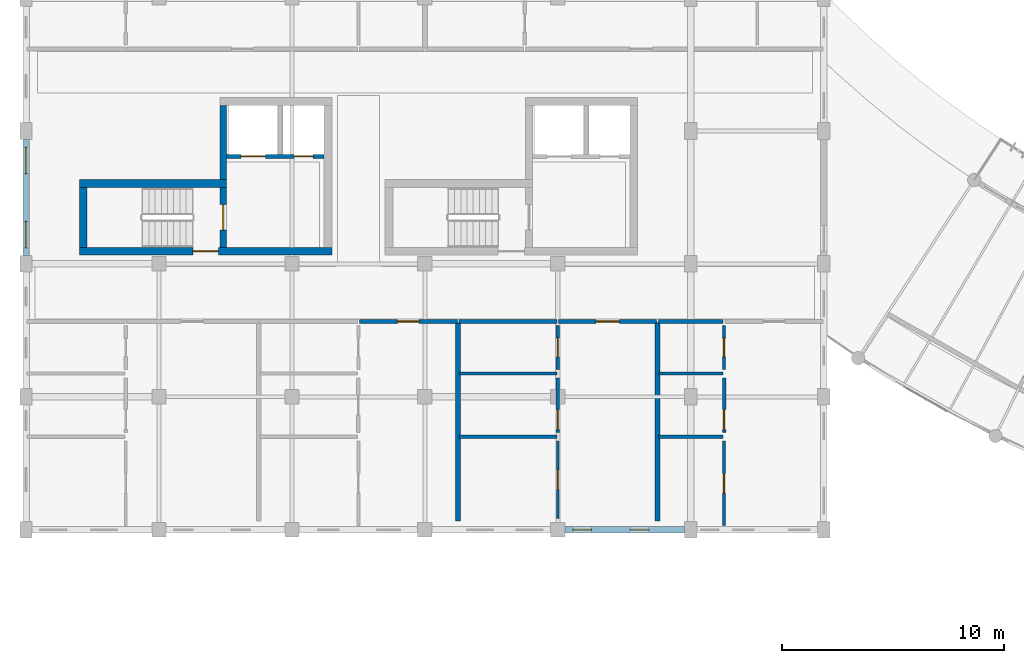
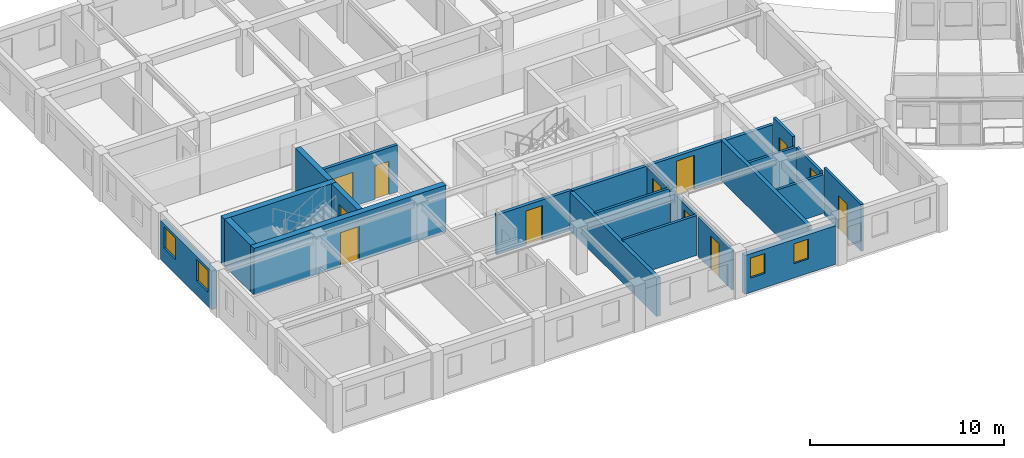
# One storey, part 55 of 100: 24 walls, 12 doors, 4 windows, 16 openings.
"""IFC4 building model written with IfcOpenShell, lengths in metres."""

from ifc_helpers import new_model, si_unit, direction, frame, frame_2d, origin, place, context, subcontext, project, spatial, rectangle, extrude, material, layer, layer_set, type_object, element, fill, save


model = new_model("IFC4")

# Units and contexts
model_context = context("Model", 3, precision=1e-05, world=origin(), true_north=direction((0.0, 1.0)))
body_context = subcontext(model_context, "Body", "Model", "MODEL_VIEW")
ifc_project = project(units=[si_unit("LENGTHUNIT", "METRE"), si_unit("AREAUNIT", "SQUARE_METRE"), si_unit("VOLUMEUNIT", "CUBIC_METRE"), si_unit("PLANEANGLEUNIT", "RADIAN"), si_unit("MASSUNIT", "GRAM", prefix="KILO"), si_unit("POWERUNIT", "WATT"), si_unit("THERMODYNAMICTEMPERATUREUNIT", "KELVIN")], contexts=[model_context])

# Site, building, storey
site_placement = place(None, origin())
site = spatial("IfcSite", under=ifc_project, at=site_placement, CompositionType="ELEMENT")
building_placement = place(site_placement, origin())
building = spatial("IfcBuilding", under=site, at=building_placement, Name="Ruvembo Vaulted Housing Court", CompositionType="ELEMENT")
storey_placement = place(building_placement, frame((0.0, 0.0, 14.10009765625)))
storey = spatial("IfcBuildingStorey", under=building, at=storey_placement, Name="L04", CompositionType="ELEMENT", Elevation=14.10009765625)

# Wall, opening, door
ifc_material_1 = material(Name="Concrete C35/45", Category="concrete")
ifc_layer_1 = layer(ifc_material_1, 0.300048828125, Name="Concrete C35/45")
ifc_layer_set_1 = layer_set([ifc_layer_1], Name="Concrete C35/45")
wall_type_1 = type_object("IfcWallType", Name="WL-CORE-300", PredefinedType="SHEAR", material=ifc_layer_set_1)
wall_1_placement = place(storey_placement, frame((8.89990234375, 18.75, 0.0), z_axis=(0.0, 0.0, 1.0), x_axis=(0.0, 1.0, 0.0)))
wall_1 = element("IfcWall", 1, at=wall_1_placement, inside=storey, type_object=wall_type_1, Name="Core A1 L04 Stair-Lobby Shear Wall", PredefinedType="SHEAR", context=body_context, shape_type="SweptSolid", body=[
    extrude(rectangle(XDim=2.699951171875, YDim=0.300048828125, at=frame_2d((1.35009765625, 0.0))), origin(), (0.0, 0.0, 1.0), 2.949951171875),
])
opening_1_placement = place(wall_1_placement, frame((0.77490234375, 0.0, 0.0)))
opening_1 = element("IfcOpeningElement", 2, at=opening_1_placement, cuts=wall_1, Name="Opening SD1", PredefinedType="OPENING", context=body_context, shape_type="SweptSolid", body=[
    extrude(rectangle(XDim=1.14990234375, YDim=2.14990234375, at=frame_2d((0.574951171875, 1.074951171875))), frame((0.0, 0.159912109375, 0.0), z_axis=(0.0, -1.0, 0.0), x_axis=(1.0, 0.0, 0.0)), (0.0, 0.0, 1.0), 0.320068359375),
])
ifc_material_2 = material(Name="Galvanised Painted Steel", Category="steel")
door_type_1 = type_object("IfcDoorType", Name="DR-STAIR-1150x2150", OperationType="NOTDEFINED", PredefinedType="DOOR", material=ifc_material_2)
door_1_placement = place(opening_1_placement, origin())
door_1 = element("IfcDoor", 3, at=door_1_placement, inside=storey, type_object=door_type_1, Name="Stair ST-A1 L04 Fire Door", OperationType="SINGLE_SWING_LEFT", OverallHeight=2.14990234375, OverallWidth=1.14990234375, PredefinedType="DOOR", context=body_context, shape_type="SweptSolid", body=[
    extrude(rectangle(XDim=1.14990234375, YDim=2.14990234375, at=frame_2d((0.574951171875, 1.074951171875))), frame((0.0, 0.02490234375, 0.0), z_axis=(0.0, -1.0, 0.0), x_axis=(1.0, 0.0, 0.0)), (0.0, 0.0, 1.0), 0.050048828125),
])
fill(opening_1, door_1)

# Wall
wall_2_placement = place(storey_placement, frame((8.89990234375, 21.800048828125, 0.0), z_axis=(0.0, 0.0, 1.0), x_axis=(0.0, 1.0, 0.0)))
element("IfcWall", 4, at=wall_2_placement, inside=storey, type_object=wall_type_1, Name="Core A1 L04 Upper West Shear Wall", PredefinedType="SHEAR", context=body_context, shape_type="SweptSolid", body=[
    extrude(rectangle(XDim=3.349853515625, YDim=0.300048828125, at=frame_2d((1.6748046875, 0.0))), origin(), (0.0, 0.0, 1.0), 2.949951171875),
])

# Wall, opening, door
ifc_layer_2 = layer(ifc_material_1, 0.35009765625, Name="Concrete C35/45")
ifc_layer_set_2 = layer_set([ifc_layer_2], Name="Concrete C35/45")
wall_type_2 = type_object("IfcWallType", Name="WL-CORE-350", PredefinedType="SHEAR", material=ifc_layer_set_2)
wall_3_placement = place(storey_placement, frame((2.39990234375, 18.574951171875, 0.0), z_axis=(0.0, 0.0, 1.0), x_axis=(1.0, 0.0, 0.0)))
wall_3 = element("IfcWall", 5, at=wall_3_placement, inside=storey, type_object=wall_type_2, Name="Core A1 L04 South Shear Wall", PredefinedType="SHEAR", context=body_context, shape_type="SweptSolid", body=[
    extrude(rectangle(XDim=11.400146484375, YDim=0.35009765625, at=frame_2d((5.7001953125, 0.0))), origin(), (0.0, 0.0, 1.0), 2.949951171875),
])
opening_2_placement = place(wall_3_placement, frame((5.125, 0.0, 0.0)))
opening_2 = element("IfcOpeningElement", 6, at=opening_2_placement, cuts=wall_3, Name="Opening LD0", PredefinedType="OPENING", context=body_context, shape_type="SweptSolid", body=[
    extrude(rectangle(XDim=1.14990234375, YDim=2.14990234375, at=frame_2d((0.574951171875, 1.074951171875))), frame((0.0, 0.18505859375, 0.0), z_axis=(0.0, -1.0, 0.0), x_axis=(1.0, 0.0, 0.0)), (0.0, 0.0, 1.0), 0.3701171875),
])
door_type_2 = type_object("IfcDoorType", Name="DR-LOB-1150x2150", OperationType="NOTDEFINED", PredefinedType="DOOR", material=ifc_material_2)
door_2_placement = place(opening_2_placement, origin())
door_2 = element("IfcDoor", 7, at=door_2_placement, inside=storey, type_object=door_type_2, Name="Core A1 L04 Lobby Fire Door", OperationType="SINGLE_SWING_RIGHT", OverallHeight=2.14990234375, OverallWidth=1.14990234375, PredefinedType="DOOR", context=body_context, shape_type="SweptSolid", body=[
    extrude(rectangle(XDim=1.14990234375, YDim=2.14990234375, at=frame_2d((0.574951171875, 1.074951171875))), frame((0.0, 0.02490234375, 0.0), z_axis=(0.0, -1.0, 0.0), x_axis=(1.0, 0.0, 0.0)), (0.0, 0.0, 1.0), 0.050048828125),
])
fill(opening_2, door_2)

# Walls
wall_4_placement = place(storey_placement, frame((9.050048828125, 21.625, 0.0), z_axis=(0.0, 0.0, 1.0), x_axis=(-1.0, 0.0, 0.0)))
element("IfcWall", 8, at=wall_4_placement, inside=storey, type_object=wall_type_2, Name="Core A1 L04 Stair North Shear Wall", PredefinedType="SHEAR", context=body_context, shape_type="SweptSolid", body=[
    extrude(rectangle(XDim=6.650146484375, YDim=0.35009765625, at=frame_2d((3.3251953125, 0.0))), origin(), (0.0, 0.0, 1.0), 2.949951171875),
])
wall_5_placement = place(storey_placement, frame((2.574951171875, 21.449951171875, 0.0), z_axis=(0.0, 0.0, 1.0), x_axis=(0.0, -1.0, 0.0)))
element("IfcWall", 9, at=wall_5_placement, inside=storey, type_object=wall_type_2, Name="Core A1 L04 Stair West Shear Wall", PredefinedType="SHEAR", context=body_context, shape_type="SweptSolid", body=[
    extrude(rectangle(XDim=2.699951171875, YDim=0.35009765625, at=frame_2d((1.35009765625, 0.0))), origin(), (0.0, 0.0, 1.0), 2.949951171875),
])

# Wall, opening, door
ifc_material_3 = material(Name="Concrete Blockwork 190", Category="masonry")
ifc_layer_3 = layer(ifc_material_3, 0.18994140625, Name="Concrete Blockwork 190")
ifc_layer_set_3 = layer_set([ifc_layer_3], Name="Concrete Blockwork 190")
wall_type_3 = type_object("IfcWallType", Name="WL-CORR-190", PredefinedType="SOLIDWALL", material=ifc_layer_set_3)
wall_6_placement = place(storey_placement, frame((15.0400390625, 15.39990234375, 0.0), z_axis=(0.0, 0.0, 1.0), x_axis=(1.0, 0.0, 0.0)))
wall_6 = element("IfcWall", 10, at=wall_6_placement, inside=storey, type_object=wall_type_3, Name="L04 Flat A-L04-S2 Entrance WL-INT-L04-01097", PredefinedType="SOLIDWALL", context=body_context, shape_type="SweptSolid", body=[
    extrude(rectangle(XDim=4.419921875, YDim=0.18994140625, at=frame_2d((2.2099609375, 0.0))), origin(), (0.0, 0.0, 1.0), 2.5078125),
])
opening_3_placement = place(wall_6_placement, frame((1.719970703125, 0.0, 0.0)))
opening_3 = element("IfcOpeningElement", 11, at=opening_3_placement, cuts=wall_6, Name="Opening FD2", PredefinedType="OPENING", context=body_context, shape_type="SweptSolid", body=[
    extrude(rectangle(XDim=0.97998046875, YDim=2.14990234375, at=frame_2d((0.489990234375, 1.074951171875))), frame((0.0, 0.10498046875, 0.0), z_axis=(0.0, -1.0, 0.0), x_axis=(1.0, 0.0, 0.0)), (0.0, 0.0, 1.0), 0.2099609375),
])
ifc_material_4 = material(Name="FSC Hardwood and Engineered Timber", Category="wood")
door_type_3 = type_object("IfcDoorType", Name="DR-FLAT-0980x2150", OperationType="NOTDEFINED", PredefinedType="DOOR", material=ifc_material_4)
door_3_placement = place(opening_3_placement, origin())
door_3 = element("IfcDoor", 12, at=door_3_placement, inside=storey, type_object=door_type_3, Name="L04 Flat A-L04-S2 Entrance Door DR-INT-L04-00616", OperationType="SINGLE_SWING_RIGHT", OverallHeight=2.14990234375, OverallWidth=0.97998046875, PredefinedType="DOOR", context=body_context, shape_type="SweptSolid", body=[
    extrude(rectangle(XDim=0.97998046875, YDim=2.14990234375, at=frame_2d((0.489990234375, 1.074951171875))), frame((0.0, 0.02490234375, 0.0), z_axis=(0.0, -1.0, 0.0), x_axis=(1.0, 0.0, 0.0)), (0.0, 0.0, 1.0), 0.050048828125),
])
fill(opening_3, door_3)

# Wall
wall_7_placement = place(storey_placement, frame((19.5400390625, 15.39990234375, 0.0), z_axis=(0.0, 0.0, 1.0), x_axis=(1.0, 0.0, 0.0)))
element("IfcWall", 13, at=wall_7_placement, inside=storey, type_object=wall_type_3, Name="L04 Flat A-L04-S3 Corridor Wall WL-INT-L04-01104", PredefinedType="SOLIDWALL", context=body_context, shape_type="SweptSolid", body=[
    extrude(rectangle(XDim=4.419921875, YDim=0.18994140625, at=frame_2d((2.2099609375, 0.0))), origin(), (0.0, 0.0, 1.0), 2.4580078125),
])

# Wall, opening, door
wall_8_placement = place(storey_placement, frame((24.0400390625, 15.39990234375, 0.0), z_axis=(0.0, 0.0, 1.0), x_axis=(1.0, 0.0, 0.0)))
wall_8 = element("IfcWall", 14, at=wall_8_placement, inside=storey, type_object=wall_type_3, Name="L04 Flat A-L04-S3 Entrance WL-INT-L04-01105", PredefinedType="SOLIDWALL", context=body_context, shape_type="SweptSolid", body=[
    extrude(rectangle(XDim=4.419921875, YDim=0.18994140625, at=frame_2d((2.2099609375, 0.0))), origin(), (0.0, 0.0, 1.0), 2.4580078125),
])
opening_4_placement = place(wall_8_placement, frame((1.68505859375, 0.0, 0.0)))
opening_4 = element("IfcOpeningElement", 15, at=opening_4_placement, cuts=wall_8, Name="Opening FD3", PredefinedType="OPENING", context=body_context, shape_type="SweptSolid", body=[
    extrude(rectangle(XDim=1.050048828125, YDim=2.14990234375, at=frame_2d((0.52490234375, 1.074951171875))), frame((0.0, 0.10498046875, 0.0), z_axis=(0.0, -1.0, 0.0), x_axis=(1.0, 0.0, 0.0)), (0.0, 0.0, 1.0), 0.2099609375),
])
door_type_4 = type_object("IfcDoorType", Name="DR-FLAT-1050x2150", OperationType="NOTDEFINED", PredefinedType="DOOR", material=ifc_material_4)
door_4_placement = place(opening_4_placement, origin())
door_4 = element("IfcDoor", 16, at=door_4_placement, inside=storey, type_object=door_type_4, Name="L04 Flat A-L04-S3 Entrance Door DR-INT-L04-00620", OperationType="SINGLE_SWING_RIGHT", OverallHeight=2.14990234375, OverallWidth=1.050048828125, PredefinedType="DOOR", context=body_context, shape_type="SweptSolid", body=[
    extrude(rectangle(XDim=1.050048828125, YDim=2.14990234375, at=frame_2d((0.52490234375, 1.074951171875))), frame((0.0, 0.02490234375, 0.0), z_axis=(0.0, -1.0, 0.0), x_axis=(1.0, 0.0, 0.0)), (0.0, 0.0, 1.0), 0.050048828125),
])
fill(opening_4, door_4)

# Walls
wall_9_placement = place(storey_placement, frame((28.5400390625, 15.39990234375, 0.0), z_axis=(0.0, 0.0, 1.0), x_axis=(1.0, 0.0, 0.0)))
element("IfcWall", 17, at=wall_9_placement, inside=storey, type_object=wall_type_3, Name="L04 Flat A-L04-S4 Corridor Wall WL-INT-L04-01111", PredefinedType="SOLIDWALL", context=body_context, shape_type="SweptSolid", body=[
    extrude(rectangle(XDim=2.919921875, YDim=0.18994140625, at=frame_2d((1.4599609375, 0.0))), origin(), (0.0, 0.0, 1.0), 2.431884765625),
])
ifc_material_5 = material(Name="Acoustic Masonry Demising 220", Category="masonry")
ifc_layer_4 = layer(ifc_material_5, 0.219970703125, Name="Acoustic Masonry Demising 220")
ifc_layer_set_4 = layer_set([ifc_layer_4], Name="Acoustic Masonry Demising 220")
wall_type_4 = type_object("IfcWallType", Name="WL-DEM-200", PredefinedType="SOLIDWALL", material=ifc_layer_set_4)
wall_10_placement = place(storey_placement, frame((19.5, 6.389892578125, 0.0), z_axis=(0.0, 0.0, 1.0), x_axis=(0.0, 1.0, 0.0)))
element("IfcWall", 18, at=wall_10_placement, inside=storey, type_object=wall_type_4, Name="L04 Demising A-L04-S2 WL-INT-L04-01095", PredefinedType="SOLIDWALL", context=body_context, shape_type="SweptSolid", body=[
    extrude(rectangle(XDim=8.97021484375, YDim=0.219970703125, at=frame_2d((4.485107421875, 0.0))), origin(), (0.0, 0.0, 1.0), 2.407958984375),
])
wall_11_placement = place(storey_placement, frame((28.5, 6.389892578125, 0.0), z_axis=(0.0, 0.0, 1.0), x_axis=(0.0, 1.0, 0.0)))
element("IfcWall", 19, at=wall_11_placement, inside=storey, type_object=wall_type_4, Name="L04 Demising A-L04-S3 WL-INT-L04-01103", PredefinedType="SOLIDWALL", context=body_context, shape_type="SweptSolid", body=[
    extrude(rectangle(XDim=8.97021484375, YDim=0.219970703125, at=frame_2d((4.485107421875, 0.0))), origin(), (0.0, 0.0, 1.0), 2.5478515625),
])

# Wall, openings, windows
ifc_material_6 = material(Name="Rendered Masonry 285", Category="masonry")
ifc_layer_5 = layer(ifc_material_6, 0.284912109375, Name="Rendered Masonry 285")
ifc_layer_set_5 = layer_set([ifc_layer_5], Name="Rendered Masonry 285")
wall_type_5 = type_object("IfcWallType", Name="WL-EXT-285", PredefinedType="STANDARD", material=ifc_layer_set_5)
wall_12_placement = place(storey_placement, frame((24.324951171875, 6.0, 0.0), z_axis=(0.0, 0.0, 1.0), x_axis=(1.0, 0.0, 0.0)))
wall_12 = element("IfcWall", 20, at=wall_12_placement, inside=storey, type_object=wall_type_5, Name="Block A L04 Exterior Wall STREET #5", PredefinedType="STANDARD", context=body_context, shape_type="SweptSolid", body=[
    extrude(rectangle(XDim=5.400146484375, YDim=0.284912109375, at=frame_2d((2.7001953125, 0.0))), origin(), (0.0, 0.0, 1.0), 2.431884765625),
])
opening_5_placement = place(wall_12_placement, frame((0.35009765625, 0.0, 0.89990234375)))
opening_5 = element("IfcOpeningElement", 21, at=opening_5_placement, cuts=wall_12, Name="Opening W03", PredefinedType="OPENING", context=body_context, shape_type="SweptSolid", body=[
    extrude(rectangle(XDim=0.85009765625, YDim=1.25, at=frame_2d((0.425048828125, 0.625))), frame((0.0, 0.15234375, 0.0), z_axis=(0.0, -1.0, 0.0), x_axis=(1.0, 0.0, 0.0)), (0.0, 0.0, 1.0), 0.304931640625),
])
opening_6_placement = place(wall_12_placement, frame((2.93505859375, 0.0, 0.89990234375)))
opening_6 = element("IfcOpeningElement", 22, at=opening_6_placement, cuts=wall_12, Name="Opening W03", PredefinedType="OPENING", context=body_context, shape_type="SweptSolid", body=[
    extrude(rectangle(XDim=0.85009765625, YDim=1.25, at=frame_2d((0.425048828125, 0.625))), frame((0.0, 0.15234375, 0.0), z_axis=(0.0, -1.0, 0.0), x_axis=(1.0, 0.0, 0.0)), (0.0, 0.0, 1.0), 0.304931640625),
])
ifc_material_7 = material(Name="Double Solar-Control Glazing in Aluminium Frame", Category="aluminium")
window_type_1 = type_object("IfcWindowType", Name="WIN-0850x1250", PartitioningType="SINGLE_PANEL", PredefinedType="WINDOW", material=ifc_material_7)
window_1_placement = place(opening_5_placement, origin())
window_1 = element("IfcWindow", 23, at=window_1_placement, inside=storey, type_object=window_type_1, Name="Block A L04 Window #175", OverallHeight=1.25, OverallWidth=0.85009765625, PartitioningType="SINGLE_PANEL", PredefinedType="WINDOW", context=body_context, shape_type="SweptSolid", body=[
    extrude(rectangle(XDim=0.85009765625, YDim=1.25, at=frame_2d((0.425048828125, 0.625))), frame((0.0, 0.030029296875, 0.0), z_axis=(0.0, -1.0, 0.0), x_axis=(1.0, 0.0, 0.0)), (0.0, 0.0, 1.0), 0.06005859375),
])
fill(opening_5, window_1)
window_2_placement = place(opening_6_placement, origin())
window_2 = element("IfcWindow", 24, at=window_2_placement, inside=storey, type_object=window_type_1, Name="Block A L04 Window #176", OverallHeight=1.25, OverallWidth=0.85009765625, PartitioningType="SINGLE_PANEL", PredefinedType="WINDOW", context=body_context, shape_type="SweptSolid", body=[
    extrude(rectangle(XDim=0.85009765625, YDim=1.25, at=frame_2d((0.425048828125, 0.625))), frame((0.0, 0.030029296875, 0.0), z_axis=(0.0, -1.0, 0.0), x_axis=(1.0, 0.0, 0.0)), (0.0, 0.0, 1.0), 0.06005859375),
])
fill(opening_6, window_2)

wall_13_placement = place(storey_placement, frame((0.0, 23.625, 0.0), z_axis=(0.0, 0.0, 1.0), x_axis=(0.0, -1.0, 0.0)))
wall_13 = element("IfcWall", 25, at=wall_13_placement, inside=storey, type_object=wall_type_5, Name="Block A L04 Exterior Wall WEST #4", PredefinedType="STANDARD", context=body_context, shape_type="SweptSolid", body=[
    extrude(rectangle(XDim=5.25, YDim=0.284912109375, at=frame_2d((2.625, 0.0))), origin(), (0.0, 0.0, 1.0), 2.431884765625),
])
opening_7_placement = place(wall_13_placement, frame((0.35009765625, 0.0, 0.89990234375)))
opening_7 = element("IfcOpeningElement", 26, at=opening_7_placement, cuts=wall_13, Name="Opening W12", PredefinedType="OPENING", context=body_context, shape_type="SweptSolid", body=[
    extrude(rectangle(XDim=1.199951171875, YDim=1.35009765625, at=frame_2d((0.60009765625, 0.675048828125))), frame((0.0, 0.15234375, 0.0), z_axis=(0.0, -1.0, 0.0), x_axis=(1.0, 0.0, 0.0)), (0.0, 0.0, 1.0), 0.304931640625),
])
opening_8_placement = place(wall_13_placement, frame((3.699951171875, 0.0, 0.89990234375)))
opening_8 = element("IfcOpeningElement", 27, at=opening_8_placement, cuts=wall_13, Name="Opening W12", PredefinedType="OPENING", context=body_context, shape_type="SweptSolid", body=[
    extrude(rectangle(XDim=1.199951171875, YDim=1.35009765625, at=frame_2d((0.60009765625, 0.675048828125))), frame((0.0, 0.15234375, 0.0), z_axis=(0.0, -1.0, 0.0), x_axis=(1.0, 0.0, 0.0)), (0.0, 0.0, 1.0), 0.304931640625),
])
window_type_2 = type_object("IfcWindowType", Name="WIN-1200x1350", PartitioningType="SINGLE_PANEL", PredefinedType="WINDOW", material=ifc_material_7)
window_3_placement = place(opening_7_placement, origin())
window_3 = element("IfcWindow", 28, at=window_3_placement, inside=storey, type_object=window_type_2, Name="Block A L04 Window #203", OverallHeight=1.35009765625, OverallWidth=1.199951171875, PartitioningType="SINGLE_PANEL", PredefinedType="WINDOW", context=body_context, shape_type="SweptSolid", body=[
    extrude(rectangle(XDim=1.199951171875, YDim=1.35009765625, at=frame_2d((0.60009765625, 0.675048828125))), frame((0.0, 0.030029296875, 0.0), z_axis=(0.0, -1.0, 0.0), x_axis=(1.0, 0.0, 0.0)), (0.0, 0.0, 1.0), 0.06005859375),
])
fill(opening_7, window_3)
window_4_placement = place(opening_8_placement, origin())
window_4 = element("IfcWindow", 29, at=window_4_placement, inside=storey, type_object=window_type_2, Name="Block A L04 Window #204", OverallHeight=1.35009765625, OverallWidth=1.199951171875, PartitioningType="SINGLE_PANEL", PredefinedType="WINDOW", context=body_context, shape_type="SweptSolid", body=[
    extrude(rectangle(XDim=1.199951171875, YDim=1.35009765625, at=frame_2d((0.60009765625, 0.675048828125))), frame((0.0, 0.030029296875, 0.0), z_axis=(0.0, -1.0, 0.0), x_axis=(1.0, 0.0, 0.0)), (0.0, 0.0, 1.0), 0.06005859375),
])
fill(opening_8, window_4)

# Wall, opening, door
ifc_material_8 = material(Name="Plasterboard Stud Partition 125", Category="gypsum")
ifc_layer_6 = layer(ifc_material_8, 0.125, Name="Plasterboard Stud Partition 125")
ifc_layer_set_6 = layer_set([ifc_layer_6], Name="Plasterboard Stud Partition 125")
wall_type_6 = type_object("IfcWallType", Name="WL-PART-125", PredefinedType="PARTITIONING", material=ifc_layer_set_6)
wall_14_placement = place(storey_placement, frame((24.0, 6.510009765625, 0.0), z_axis=(0.0, 0.0, 1.0), x_axis=(0.0, 1.0, 0.0)))
wall_14 = element("IfcWall", 30, at=wall_14_placement, inside=storey, type_object=wall_type_6, Name="L04 Flat A-L04-S3 Bedroom 1 WL-INT-L04-01106", PredefinedType="PARTITIONING", context=body_context, shape_type="SweptSolid", body=[
    extrude(rectangle(XDim=3.5, YDim=0.125, at=frame_2d((1.75, 0.0))), origin(), (0.0, 0.0, 1.0), 2.5078125),
])
opening_9_placement = place(wall_14_placement, frame((1.31005859375, 0.0, 0.0)))
opening_9 = element("IfcOpeningElement", 31, at=opening_9_placement, cuts=wall_14, Name="Opening ID3", PredefinedType="OPENING", context=body_context, shape_type="SweptSolid", body=[
    extrude(rectangle(XDim=0.8798828125, YDim=2.10009765625, at=frame_2d((0.43994140625, 1.050048828125))), frame((0.0, 0.072509765625, 0.0), z_axis=(0.0, -1.0, 0.0), x_axis=(1.0, 0.0, 0.0)), (0.0, 0.0, 1.0), 0.14501953125),
])
door_type_5 = type_object("IfcDoorType", Name="DR-ROOM-0880x2100", OperationType="NOTDEFINED", PredefinedType="DOOR", material=ifc_material_4)
door_5_placement = place(opening_9_placement, origin())
door_5 = element("IfcDoor", 32, at=door_5_placement, inside=storey, type_object=door_type_5, Name="L04 Flat A-L04-S3 Bedroom 1 Door DR-INT-L04-00621", OperationType="SINGLE_SWING_LEFT", OverallHeight=2.10009765625, OverallWidth=0.8798828125, PredefinedType="DOOR", context=body_context, shape_type="SweptSolid", body=[
    extrude(rectangle(XDim=0.8798828125, YDim=2.10009765625, at=frame_2d((0.43994140625, 1.050048828125))), frame((0.0, 0.02490234375, 0.0), z_axis=(0.0, -1.0, 0.0), x_axis=(1.0, 0.0, 0.0)), (0.0, 0.0, 1.0), 0.050048828125),
])
fill(opening_9, door_5)

ifc_material_9 = material(Name="Acoustic Stud Partition 135", Category="gypsum")
ifc_layer_7 = layer(ifc_material_9, 0.135009765625, Name="Acoustic Stud Partition 135")
ifc_layer_set_7 = layer_set([ifc_layer_7], Name="Acoustic Stud Partition 135")
wall_type_7 = type_object("IfcWallType", Name="WL-PART-135", PredefinedType="PARTITIONING", material=ifc_layer_set_7)
wall_15_placement = place(storey_placement, frame((31.5, 6.18994140625, 0.0), z_axis=(0.0, 0.0, 1.0), x_axis=(0.0, 1.0, 0.0)))
wall_15 = element("IfcWall", 33, at=wall_15_placement, inside=storey, type_object=wall_type_7, Name="L04 Flat A-L04-S4 Bedroom 1 WL-INT-L04-01113", PredefinedType="PARTITIONING", context=body_context, shape_type="SweptSolid", body=[
    extrude(rectangle(XDim=3.820068359375, YDim=0.135009765625, at=frame_2d((1.91015625, 0.0))), origin(), (0.0, 0.0, 1.0), 2.949951171875),
])
opening_10_placement = place(wall_15_placement, frame((1.469970703125, 0.0, 0.0)))
opening_10 = element("IfcOpeningElement", 34, at=opening_10_placement, cuts=wall_15, Name="Opening ID3", PredefinedType="OPENING", context=body_context, shape_type="SweptSolid", body=[
    extrude(rectangle(XDim=0.8798828125, YDim=2.10009765625, at=frame_2d((0.43994140625, 1.050048828125))), frame((0.0, 0.077392578125, 0.0), z_axis=(0.0, -1.0, 0.0), x_axis=(1.0, 0.0, 0.0)), (0.0, 0.0, 1.0), 0.155029296875),
])
door_6_placement = place(opening_10_placement, origin())
door_6 = element("IfcDoor", 35, at=door_6_placement, inside=storey, type_object=door_type_5, Name="L04 Flat A-L04-S4 Bedroom 1 Door DR-INT-L04-00625", OperationType="SINGLE_SWING_LEFT", OverallHeight=2.10009765625, OverallWidth=0.8798828125, PredefinedType="DOOR", context=body_context, shape_type="SweptSolid", body=[
    extrude(rectangle(XDim=0.8798828125, YDim=2.10009765625, at=frame_2d((0.43994140625, 1.050048828125))), frame((0.0, 0.02490234375, 0.0), z_axis=(0.0, -1.0, 0.0), x_axis=(1.0, 0.0, 0.0)), (0.0, 0.0, 1.0), 0.050048828125),
])
fill(opening_10, door_6)

ifc_material_10 = material(Name="Moisture-Resistant Wet Partition 150", Category="gypsum")
ifc_layer_8 = layer(ifc_material_10, 0.14990234375, Name="Moisture-Resistant Wet Partition 150")
ifc_layer_set_8 = layer_set([ifc_layer_8], Name="Moisture-Resistant Wet Partition 150")
wall_type_8 = type_object("IfcWallType", Name="WL-PART-150", PredefinedType="PARTITIONING", material=ifc_layer_set_8)
wall_16_placement = place(storey_placement, frame((24.0, 13.239990234375, 0.0), z_axis=(0.0, 0.0, 1.0), x_axis=(0.0, 1.0, 0.0)))
wall_16 = element("IfcWall", 36, at=wall_16_placement, inside=storey, type_object=wall_type_8, Name="L04 Flat A-L04-S3 Bathroom WL-INT-L04-01108", PredefinedType="PARTITIONING", context=body_context, shape_type="SweptSolid", body=[
    extrude(rectangle(XDim=1.969970703125, YDim=0.14990234375, at=frame_2d((0.98486328125, 0.0))), origin(), (0.0, 0.0, 1.0), 2.4580078125),
])
opening_11_placement = place(wall_16_placement, frame((0.56005859375, 0.0, 0.0)))
opening_11 = element("IfcOpeningElement", 37, at=opening_11_placement, cuts=wall_16, Name="Opening ID2", PredefinedType="OPENING", context=body_context, shape_type="SweptSolid", body=[
    extrude(rectangle(XDim=0.85009765625, YDim=2.10009765625, at=frame_2d((0.425048828125, 1.050048828125))), frame((0.0, 0.0849609375, 0.0), z_axis=(0.0, -1.0, 0.0), x_axis=(1.0, 0.0, 0.0)), (0.0, 0.0, 1.0), 0.169921875),
])
door_type_6 = type_object("IfcDoorType", Name="DR-WET-0850x2100", OperationType="NOTDEFINED", PredefinedType="DOOR", material=ifc_material_4)
door_7_placement = place(opening_11_placement, origin())
door_7 = element("IfcDoor", 38, at=door_7_placement, inside=storey, type_object=door_type_6, Name="L04 Flat A-L04-S3 Bathroom Door DR-INT-L04-00623", OperationType="SINGLE_SWING_LEFT", OverallHeight=2.10009765625, OverallWidth=0.85009765625, PredefinedType="DOOR", context=body_context, shape_type="SweptSolid", body=[
    extrude(rectangle(XDim=0.85009765625, YDim=2.10009765625, at=frame_2d((0.425048828125, 1.050048828125))), frame((0.0, 0.02490234375, 0.0), z_axis=(0.0, -1.0, 0.0), x_axis=(1.0, 0.0, 0.0)), (0.0, 0.0, 1.0), 0.050048828125),
])
fill(opening_11, door_7)

# Walls
wall_17_placement = place(storey_placement, frame((19.5400390625, 10.199951171875, 0.0), z_axis=(0.0, 0.0, 1.0), x_axis=(1.0, 0.0, 0.0)))
element("IfcWall", 39, at=wall_17_placement, inside=storey, type_object=wall_type_8, Name="L04 Flat A-L04-S3 Wet Wall 1 WL-INT-L04-01109", PredefinedType="PARTITIONING", context=body_context, shape_type="SweptSolid", body=[
    extrude(rectangle(XDim=4.419921875, YDim=0.14990234375, at=frame_2d((2.2099609375, 0.0))), origin(), (0.0, 0.0, 1.0), 2.5078125),
])
wall_18_placement = place(storey_placement, frame((19.5400390625, 13.050048828125, 0.0), z_axis=(0.0, 0.0, 1.0), x_axis=(1.0, 0.0, 0.0)))
element("IfcWall", 40, at=wall_18_placement, inside=storey, type_object=wall_type_8, Name="L04 Flat A-L04-S3 Wet Wall 2 WL-INT-L04-01110", PredefinedType="PARTITIONING", context=body_context, shape_type="SweptSolid", body=[
    extrude(rectangle(XDim=4.419921875, YDim=0.14990234375, at=frame_2d((2.2099609375, 0.0))), origin(), (0.0, 0.0, 1.0), 2.4580078125),
])

# Wall, opening, door
wall_19_placement = place(storey_placement, frame((31.5, 13.239990234375, 0.0), z_axis=(0.0, 0.0, 1.0), x_axis=(0.0, 1.0, 0.0)))
wall_19 = element("IfcWall", 41, at=wall_19_placement, inside=storey, type_object=wall_type_8, Name="L04 Flat A-L04-S4 Bathroom WL-INT-L04-01115", PredefinedType="PARTITIONING", context=body_context, shape_type="SweptSolid", body=[
    extrude(rectangle(XDim=1.969970703125, YDim=0.14990234375, at=frame_2d((0.98486328125, 0.0))), origin(), (0.0, 0.0, 1.0), 2.949951171875),
])
opening_12_placement = place(wall_19_placement, frame((0.574951171875, 0.0, 0.0)))
opening_12 = element("IfcOpeningElement", 42, at=opening_12_placement, cuts=wall_19, Name="Opening ID4", PredefinedType="OPENING", context=body_context, shape_type="SweptSolid", body=[
    extrude(rectangle(XDim=0.820068359375, YDim=2.080078125, at=frame_2d((0.41015625, 1.0400390625))), frame((0.0, 0.0849609375, 0.0), z_axis=(0.0, -1.0, 0.0), x_axis=(1.0, 0.0, 0.0)), (0.0, 0.0, 1.0), 0.169921875),
])
door_type_7 = type_object("IfcDoorType", Name="DR-WET-0820x2080", OperationType="NOTDEFINED", PredefinedType="DOOR", material=ifc_material_4)
door_8_placement = place(opening_12_placement, origin())
door_8 = element("IfcDoor", 43, at=door_8_placement, inside=storey, type_object=door_type_7, Name="L04 Flat A-L04-S4 Bathroom Door DR-INT-L04-00627", OperationType="SINGLE_SWING_LEFT", OverallHeight=2.080078125, OverallWidth=0.820068359375, PredefinedType="DOOR", context=body_context, shape_type="SweptSolid", body=[
    extrude(rectangle(XDim=0.820068359375, YDim=2.080078125, at=frame_2d((0.41015625, 1.0400390625))), frame((0.0, 0.02490234375, 0.0), z_axis=(0.0, -1.0, 0.0), x_axis=(1.0, 0.0, 0.0)), (0.0, 0.0, 1.0), 0.050048828125),
])
fill(opening_12, door_8)

# Walls
for number, where, z_axis, x_axis, name in (
    (44, (28.5400390625, 10.199951171875, 0.0), (0.0, 0.0, 1.0), (1.0, 0.0, 0.0), "L04 Flat A-L04-S4 Wet Wall 1 WL-INT-L04-01116"),
    (45, (28.5400390625, 13.050048828125, 0.0), (0.0, 0.0, 1.0), (1.0, 0.0, 0.0), "L04 Flat A-L04-S4 Wet Wall 2 WL-INT-L04-01117"),
):
    element("IfcWall", number, at=place(storey_placement, frame(where, z_axis=z_axis, x_axis=x_axis)), inside=storey, type_object=wall_type_8, Name=name, PredefinedType="PARTITIONING", context=body_context, shape_type="SweptSolid", body=[
        extrude(rectangle(XDim=2.919921875, YDim=0.14990234375, at=frame_2d((1.4599609375, 0.0))), origin(), (0.0, 0.0, 1.0), 2.431884765625),
    ])

# Wall, opening, door
ifc_material_11 = material(Name="Acoustic Service Chase Wall 160", Category="gypsum")
ifc_layer_9 = layer(ifc_material_11, 0.159912109375, Name="Acoustic Service Chase Wall 160")
ifc_layer_set_9 = layer_set([ifc_layer_9], Name="Acoustic Service Chase Wall 160")
wall_type_9 = type_object("IfcWallType", Name="WL-PLUMB-160", PredefinedType="PLUMBINGWALL", material=ifc_layer_set_9)
wall_20_placement = place(storey_placement, frame((24.0, 10.389892578125, 0.0), z_axis=(0.0, 0.0, 1.0), x_axis=(0.0, 1.0, 0.0)))
wall_20 = element("IfcWall", 46, at=wall_20_placement, inside=storey, type_object=wall_type_9, Name="L04 Flat A-L04-S3 Kitchen WL-INT-L04-01107", PredefinedType="PLUMBINGWALL", context=body_context, shape_type="SweptSolid", body=[
    extrude(rectangle(XDim=2.47021484375, YDim=0.159912109375, at=frame_2d((1.235107421875, 0.0))), origin(), (0.0, 0.0, 1.0), 2.4580078125),
])
opening_13_placement = place(wall_20_placement, frame((0.1298828125, 0.0, 0.0)))
opening_13 = element("IfcOpeningElement", 47, at=opening_13_placement, cuts=wall_20, Name="Opening ID1", PredefinedType="OPENING", context=body_context, shape_type="SweptSolid", body=[
    extrude(rectangle(XDim=0.89990234375, YDim=2.10009765625, at=frame_2d((0.449951171875, 1.050048828125))), frame((0.0, 0.08984375, 0.0), z_axis=(0.0, -1.0, 0.0), x_axis=(1.0, 0.0, 0.0)), (0.0, 0.0, 1.0), 0.179931640625),
])
door_type_8 = type_object("IfcDoorType", Name="DR-ROOM-0900x2100", OperationType="NOTDEFINED", PredefinedType="DOOR", material=ifc_material_4)
door_9_placement = place(opening_13_placement, origin())
door_9 = element("IfcDoor", 48, at=door_9_placement, inside=storey, type_object=door_type_8, Name="L04 Flat A-L04-S3 Kitchen Door DR-INT-L04-00622", OperationType="SINGLE_SWING_RIGHT", OverallHeight=2.10009765625, OverallWidth=0.89990234375, PredefinedType="DOOR", context=body_context, shape_type="SweptSolid", body=[
    extrude(rectangle(XDim=0.89990234375, YDim=2.10009765625, at=frame_2d((0.449951171875, 1.050048828125))), frame((0.0, 0.02490234375, 0.0), z_axis=(0.0, -1.0, 0.0), x_axis=(1.0, 0.0, 0.0)), (0.0, 0.0, 1.0), 0.050048828125),
])
fill(opening_13, door_9)

wall_21_placement = place(storey_placement, frame((31.5, 10.389892578125, 0.0), z_axis=(0.0, 0.0, 1.0), x_axis=(0.0, 1.0, 0.0)))
wall_21 = element("IfcWall", 49, at=wall_21_placement, inside=storey, type_object=wall_type_9, Name="L04 Flat A-L04-S4 Kitchen WL-INT-L04-01114", PredefinedType="PLUMBINGWALL", context=body_context, shape_type="SweptSolid", body=[
    extrude(rectangle(XDim=2.47021484375, YDim=0.159912109375, at=frame_2d((1.235107421875, 0.0))), origin(), (0.0, 0.0, 1.0), 2.5078125),
])
opening_14_placement = place(wall_21_placement, frame((0.1298828125, 0.0, 0.0)))
opening_14 = element("IfcOpeningElement", 50, at=opening_14_placement, cuts=wall_21, Name="Opening ID1", PredefinedType="OPENING", context=body_context, shape_type="SweptSolid", body=[
    extrude(rectangle(XDim=0.89990234375, YDim=2.10009765625, at=frame_2d((0.449951171875, 1.050048828125))), frame((0.0, 0.08984375, 0.0), z_axis=(0.0, -1.0, 0.0), x_axis=(1.0, 0.0, 0.0)), (0.0, 0.0, 1.0), 0.179931640625),
])
door_10_placement = place(opening_14_placement, origin())
door_10 = element("IfcDoor", 51, at=door_10_placement, inside=storey, type_object=door_type_8, Name="L04 Flat A-L04-S4 Kitchen Door DR-INT-L04-00626", OperationType="SINGLE_SWING_RIGHT", OverallHeight=2.10009765625, OverallWidth=0.89990234375, PredefinedType="DOOR", context=body_context, shape_type="SweptSolid", body=[
    extrude(rectangle(XDim=0.89990234375, YDim=2.10009765625, at=frame_2d((0.449951171875, 1.050048828125))), frame((0.0, 0.02490234375, 0.0), z_axis=(0.0, -1.0, 0.0), x_axis=(1.0, 0.0, 0.0)), (0.0, 0.0, 1.0), 0.050048828125),
])
fill(opening_14, door_10)

# Wall, openings, doors
ifc_material_12 = material(Name="Fire-Rated Masonry Shaft 180", Category="masonry")
ifc_layer_10 = layer(ifc_material_12, 0.179931640625, Name="Fire-Rated Masonry Shaft 180")
ifc_layer_set_10 = layer_set([ifc_layer_10], Name="Fire-Rated Masonry Shaft 180")
wall_type_10 = type_object("IfcWallType", Name="WL-SHAFT-180", PredefinedType="SOLIDWALL", material=ifc_layer_set_10)
wall_22_placement = place(storey_placement, frame((9.050048828125, 22.85009765625, 0.0), z_axis=(0.0, 0.0, 1.0), x_axis=(1.0, 0.0, 0.0)))
wall_22 = element("IfcWall", 52, at=wall_22_placement, inside=storey, type_object=wall_type_10, Name="Core A1 L04 Lift and Riser Front Wall", PredefinedType="SOLIDWALL", context=body_context, shape_type="SweptSolid", body=[
    extrude(rectangle(XDim=4.39990234375, YDim=0.179931640625, at=frame_2d((2.199951171875, 0.0))), origin(), (0.0, 0.0, 1.0), 2.949951171875),
])
opening_15_placement = place(wall_22_placement, frame((0.64990234375, 0.0, 0.0)))
opening_15 = element("IfcOpeningElement", 53, at=opening_15_placement, cuts=wall_22, Name="Opening LD-FL-A1-L04", PredefinedType="OPENING", context=body_context, shape_type="SweptSolid", body=[
    extrude(rectangle(XDim=1.10009765625, YDim=2.14990234375, at=frame_2d((0.550048828125, 1.074951171875))), frame((0.0, 0.099853515625, 0.0), z_axis=(0.0, -1.0, 0.0), x_axis=(1.0, 0.0, 0.0)), (0.0, 0.0, 1.0), 0.199951171875),
])
opening_16_placement = place(wall_22_placement, frame((3.050048828125, 0.0, 0.0)))
opening_16 = element("IfcOpeningElement", 54, at=opening_16_placement, cuts=wall_22, Name="Opening RD1", PredefinedType="OPENING", context=body_context, shape_type="SweptSolid", body=[
    extrude(rectangle(XDim=0.85009765625, YDim=2.10009765625, at=frame_2d((0.425048828125, 1.050048828125))), frame((0.0, 0.099853515625, 0.0), z_axis=(0.0, -1.0, 0.0), x_axis=(1.0, 0.0, 0.0)), (0.0, 0.0, 1.0), 0.199951171875),
])
ifc_material_13 = material(Name="Brushed Stainless Steel 304", Category="steel")
door_type_9 = type_object("IfcDoorType", Name="DR-LIFT-1100x2150", OperationType="NOTDEFINED", PredefinedType="DOOR", material=ifc_material_13)
door_11_placement = place(opening_15_placement, origin())
door_11 = element("IfcDoor", 55, at=door_11_placement, inside=storey, type_object=door_type_9, Name="Lift FL-A1 L04 Sliding Landing Door", OperationType="SLIDING_TO_LEFT", OverallHeight=2.14990234375, OverallWidth=1.10009765625, PredefinedType="DOOR", context=body_context, shape_type="SweptSolid", body=[
    extrude(rectangle(XDim=1.10009765625, YDim=2.14990234375, at=frame_2d((0.550048828125, 1.074951171875))), frame((0.0, 0.02490234375, 0.0), z_axis=(0.0, -1.0, 0.0), x_axis=(1.0, 0.0, 0.0)), (0.0, 0.0, 1.0), 0.050048828125),
])
fill(opening_15, door_11)
door_type_10 = type_object("IfcDoorType", Name="DR-RISER-0850x2100", OperationType="NOTDEFINED", PredefinedType="DOOR", material=ifc_material_2)
door_12_placement = place(opening_16_placement, frame((0.85009765625, 0.0, 0.0), z_axis=(0.0, 0.0, 1.0), x_axis=(-1.0, 0.0, 0.0)))
door_12 = element("IfcDoor", 56, at=door_12_placement, inside=storey, type_object=door_type_10, Name="Core A1 L04 Service Riser Door", OperationType="SINGLE_SWING_RIGHT", OverallHeight=2.10009765625, OverallWidth=0.85009765625, PredefinedType="DOOR", context=body_context, shape_type="SweptSolid", body=[
    extrude(rectangle(XDim=0.85009765625, YDim=2.10009765625, at=frame_2d((0.425048828125, 1.050048828125))), frame((0.0, 0.02490234375, 0.0), z_axis=(0.0, -1.0, 0.0), x_axis=(1.0, 0.0, 0.0)), (0.0, 0.0, 1.0), 0.050048828125),
])
fill(opening_16, door_12)

save(model, "model.ifc")
